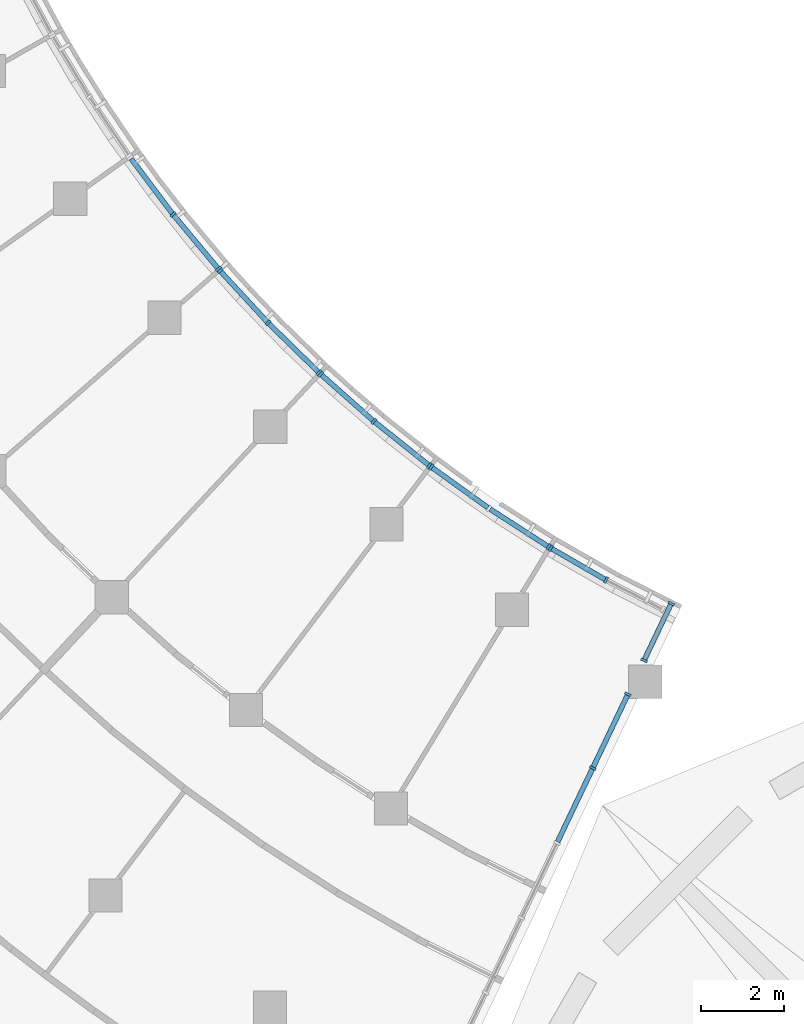
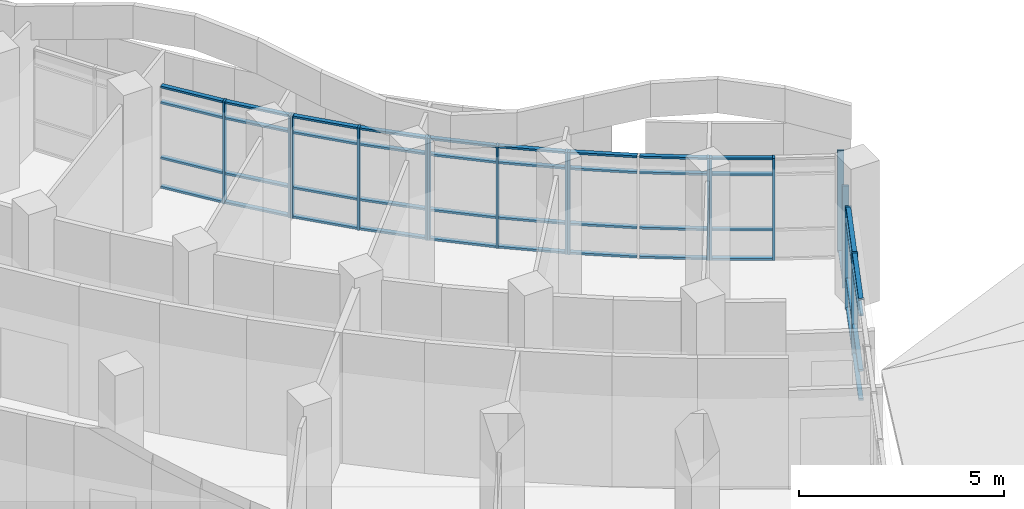
# One storey, part 19 of 137: 61 members, 7 elements without a shape of their own.
"""IFC4 building model written with IfcOpenShell, lengths in metres."""

from ifc_helpers import new_model, si_unit, direction, frame, origin, origin_2d, place, context, subcontext, project, spatial, rectangle, extrude, material, material_profile, profile_set, type_object, element, aggregate, save


model = new_model("IFC4")

# Units and contexts
model_context = context("Model", 3, precision=1e-05, world=origin(), true_north=direction((0.0, 1.0)))
body_context = subcontext(model_context, "Body", "Model", "MODEL_VIEW")
ifc_project = project(units=[si_unit("LENGTHUNIT", "METRE"), si_unit("AREAUNIT", "SQUARE_METRE"), si_unit("VOLUMEUNIT", "CUBIC_METRE"), si_unit("PLANEANGLEUNIT", "RADIAN"), si_unit("MASSUNIT", "GRAM", prefix="KILO")], contexts=[model_context])

# Site, building, storey
site_placement = place(None, origin())
site = spatial("IfcSite", under=ifc_project, at=site_placement, CompositionType="ELEMENT")
building_placement = place(site_placement, origin())
building = spatial("IfcBuilding", under=site, at=building_placement, Name="Bougainvillea Quay General Hospital", CompositionType="ELEMENT")
storey_placement = place(building_placement, frame((0.0, 0.0, 16.800048828125)))
storey = spatial("IfcBuildingStorey", under=building, at=storey_placement, Name="L03", CompositionType="ELEMENT", Elevation=16.800048828125)

# Curtain wall, members
ifc_material_1 = material(Name="Aluminium curtain wall system, powder-coated glazed", Category="aluminium")
curtain_wall_type_1 = type_object("IfcCurtainWallType", Name="Unitised curtain wall CW-1997", PredefinedType="NOTDEFINED", material=ifc_material_1)
curtain_wall_1_placement = place(storey_placement, origin())
curtain_wall_1 = element("IfcCurtainWall", 1, at=curtain_wall_1_placement, inside=storey, type_object=curtain_wall_type_1, Name="CW-AE 02", PredefinedType="NOTDEFINED")
ifc_material_2 = material(Name="Aluminium mullion, powder-coated charcoal", Category="aluminium")
ifc_material_profile_1 = material_profile(ifc_material_2, rectangle(XDim=0.159912109375, YDim=0.06005859375, at=origin_2d()))
ifc_profile_set_1 = profile_set([ifc_material_profile_1], Name="Aluminium mullion, powder-coated charcoal")
member_type_1 = type_object("IfcMemberType", Name="Curtain wall mullion 160x60", PredefinedType="MULLION", material=ifc_profile_set_1)
member_1_placement = place(storey_placement, frame((92.436279296875, 91.433837890625, 0.0), z_axis=(0.0, 0.0, 1.0), x_axis=(-0.902578440897, 0.430525444112, 0.0)))
member_1 = element("IfcMember", 2, at=member_1_placement, type_object=member_type_1, Name="CW-AE mullion 10", PredefinedType="MULLION", context=body_context, shape_type="SweptSolid", body=[
    extrude(rectangle(XDim=0.159912109375, YDim=0.06005859375, at=origin_2d()), origin(), (0.0, 0.0, 1.0), 3.050048828125),
])
member_2_placement = place(storey_placement, frame((93.28271484375, 93.20849609375, 0.0), z_axis=(0.0, 0.0, 1.0), x_axis=(-0.902578440897, 0.430525444112, 0.0)))
member_2 = element("IfcMember", 3, at=member_2_placement, type_object=member_type_1, Name="CW-AE mullion 11", PredefinedType="MULLION", context=body_context, shape_type="SweptSolid", body=[
    extrude(rectangle(XDim=0.159912109375, YDim=0.06005859375, at=origin_2d()), origin(), (0.0, 0.0, 1.0), 3.050048828125),
])

curtain_wall_type_2 = type_object("IfcCurtainWallType", Name="Unitised curtain wall CW-1580", PredefinedType="NOTDEFINED", material=ifc_material_1)
curtain_wall_2_placement = place(storey_placement, origin())
curtain_wall_2 = element("IfcCurtainWall", 4, at=curtain_wall_2_placement, inside=storey, type_object=curtain_wall_type_2, Name="CW-AE 03", PredefinedType="NOTDEFINED")
member_3_placement = place(storey_placement, frame((93.670166015625, 94.020751953125, 0.0), z_axis=(0.0, 0.0, 1.0), x_axis=(-0.902578440897, 0.430525444112, 0.0)))
member_3 = element("IfcMember", 5, at=member_3_placement, type_object=member_type_1, Name="CW-AE mullion 1", PredefinedType="MULLION", context=body_context, shape_type="SweptSolid", body=[
    extrude(rectangle(XDim=0.159912109375, YDim=0.06005859375, at=origin_2d()), origin(), (0.0, 0.0, 1.0), 3.050048828125),
])
member_4_placement = place(storey_placement, frame((94.324462890625, 95.392578125, 0.0), z_axis=(0.0, 0.0, 1.0), x_axis=(-0.902578440897, 0.430525444112, 0.0)))
member_4 = element("IfcMember", 6, at=member_4_placement, type_object=member_type_1, Name="CW-AE mullion 2", PredefinedType="MULLION", context=body_context, shape_type="SweptSolid", body=[
    extrude(rectangle(XDim=0.159912109375, YDim=0.06005859375, at=origin_2d()), origin(), (0.0, 0.0, 1.0), 3.050048828125),
])

curtain_wall_type_3 = type_object("IfcCurtainWallType", Name="Unitised curtain wall CW-2100", PredefinedType="NOTDEFINED", material=ifc_material_1)
curtain_wall_3_placement = place(storey_placement, origin())
curtain_wall_3 = element("IfcCurtainWall", 7, at=curtain_wall_3_placement, inside=storey, type_object=curtain_wall_type_3, Name="CW-W01 a03b0", PredefinedType="NOTDEFINED")
member_5_placement = place(storey_placement, frame((92.756591796875, 95.95556640625, 0.0), z_axis=(0.0, 0.0, 1.0), x_axis=(-0.480103411147, -0.877211898349, 0.0)))
member_5 = element("IfcMember", 8, at=member_5_placement, type_object=member_type_1, Name="CW-W01 mullion 2", PredefinedType="MULLION", context=body_context, shape_type="SweptSolid", body=[
    extrude(rectangle(XDim=0.159912109375, YDim=0.06005859375, at=origin_2d()), origin(), (0.0, 0.0, 1.0), 3.050048828125),
])
member_6_placement = place(storey_placement, frame((91.42626953125, 96.7236328125, 0.0), z_axis=(0.0, 0.0, 1.0), x_axis=(-0.50003140996, -0.866007268476, 0.0)))
member_6 = element("IfcMember", 9, at=member_6_placement, type_object=member_type_1, Name="CW-W01 mullion 3", PredefinedType="MULLION", context=body_context, shape_type="SweptSolid", body=[
    extrude(rectangle(XDim=0.159912109375, YDim=0.06005859375, at=origin_2d()), origin(), (0.0, 0.0, 1.0), 3.050048828125),
])

curtain_wall_4_placement = place(storey_placement, origin())
curtain_wall_4 = element("IfcCurtainWall", 10, at=curtain_wall_4_placement, inside=storey, type_object=curtain_wall_type_3, Name="CW-W02 a03b1", PredefinedType="NOTDEFINED")
member_7_placement = place(storey_placement, frame((91.375244140625, 96.7548828125, 0.0), z_axis=(0.0, 0.0, 1.0), x_axis=(-0.541194636325, -0.840897357359, 0.0)))
member_7 = element("IfcMember", 11, at=member_7_placement, type_object=member_type_1, Name="CW-W02 mullion 1", PredefinedType="MULLION", context=body_context, shape_type="SweptSolid", body=[
    extrude(rectangle(XDim=0.159912109375, YDim=0.06005859375, at=origin_2d()), origin(), (0.0, 0.0, 1.0), 3.050048828125),
])
member_8_placement = place(storey_placement, frame((88.552978515625, 98.674072265625, 0.0), z_axis=(0.0, 0.0, 1.0), x_axis=(-0.583130104218, -0.812378779606, 0.0)))
member_8 = element("IfcMember", 12, at=member_8_placement, type_object=member_type_1, Name="CW-W02 mullion 3", PredefinedType="MULLION", context=body_context, shape_type="SweptSolid", body=[
    extrude(rectangle(XDim=0.159912109375, YDim=0.06005859375, at=origin_2d()), origin(), (0.0, 0.0, 1.0), 3.050048828125),
])

curtain_wall_5_placement = place(storey_placement, origin())
curtain_wall_5 = element("IfcCurtainWall", 13, at=curtain_wall_5_placement, inside=storey, type_object=curtain_wall_type_3, Name="CW-W03 a03b2", PredefinedType="NOTDEFINED")
member_9_placement = place(storey_placement, frame((88.50537109375, 98.710205078125, 0.0), z_axis=(0.0, 0.0, 1.0), x_axis=(-0.623565824026, -0.781770850765, 0.0)))
member_9 = element("IfcMember", 14, at=member_9_placement, type_object=member_type_1, Name="CW-W03 mullion 1", PredefinedType="MULLION", context=body_context, shape_type="SweptSolid", body=[
    extrude(rectangle(XDim=0.159912109375, YDim=0.06005859375, at=origin_2d()), origin(), (0.0, 0.0, 1.0), 3.050048828125),
])
member_10_placement = place(storey_placement, frame((87.1708984375, 99.774658203125, 0.0), z_axis=(0.0, 0.0, 1.0), x_axis=(-0.643188621489, -0.765707775321, 0.0)))
member_10 = element("IfcMember", 15, at=member_10_placement, type_object=member_type_1, Name="CW-W03 mullion 2", PredefinedType="MULLION", context=body_context, shape_type="SweptSolid", body=[
    extrude(rectangle(XDim=0.159912109375, YDim=0.06005859375, at=origin_2d()), origin(), (0.0, 0.0, 1.0), 3.050048828125),
])
member_11_placement = place(storey_placement, frame((85.89208984375, 100.9052734375, 0.0), z_axis=(0.0, 0.0, 1.0), x_axis=(-0.662397799417, -0.749152291145, 0.0)))
member_11 = element("IfcMember", 16, at=member_11_placement, type_object=member_type_1, Name="CW-W03 mullion 3", PredefinedType="MULLION", context=body_context, shape_type="SweptSolid", body=[
    extrude(rectangle(XDim=0.159912109375, YDim=0.06005859375, at=origin_2d()), origin(), (0.0, 0.0, 1.0), 3.050048828125),
])

curtain_wall_6_placement = place(storey_placement, origin())
curtain_wall_6 = element("IfcCurtainWall", 17, at=curtain_wall_6_placement, inside=storey, type_object=curtain_wall_type_3, Name="CW-W04 a03b3", PredefinedType="NOTDEFINED")
member_12_placement = place(storey_placement, frame((85.84814453125, 100.946044921875, 0.0), z_axis=(0.0, 0.0, 1.0), x_axis=(-0.699526158712, -0.714606992183, 0.0)))
member_12 = element("IfcMember", 18, at=member_12_placement, type_object=member_type_1, Name="CW-W04 mullion 1", PredefinedType="MULLION", context=body_context, shape_type="SweptSolid", body=[
    extrude(rectangle(XDim=0.159912109375, YDim=0.06005859375, at=origin_2d()), origin(), (0.0, 0.0, 1.0), 3.050048828125),
])
member_13_placement = place(storey_placement, frame((84.62841796875, 102.14013671875, 0.0), z_axis=(0.0, 0.0, 1.0), x_axis=(-0.717421463702, -0.69663939267, 0.0)))
member_13 = element("IfcMember", 19, at=member_13_placement, type_object=member_type_1, Name="CW-W04 mullion 2", PredefinedType="MULLION", context=body_context, shape_type="SweptSolid", body=[
    extrude(rectangle(XDim=0.159912109375, YDim=0.06005859375, at=origin_2d()), origin(), (0.0, 0.0, 1.0), 3.050048828125),
])
member_14_placement = place(storey_placement, frame((83.470703125, 103.39453125, 0.0), z_axis=(0.0, 0.0, 1.0), x_axis=(-0.734855411756, -0.678223800683, 0.0)))
member_14 = element("IfcMember", 20, at=member_14_placement, type_object=member_type_1, Name="CW-W04 mullion 3", PredefinedType="MULLION", context=body_context, shape_type="SweptSolid", body=[
    extrude(rectangle(XDim=0.159912109375, YDim=0.06005859375, at=origin_2d()), origin(), (0.0, 0.0, 1.0), 3.050048828125),
])

curtain_wall_7_placement = place(storey_placement, origin())
curtain_wall_7 = element("IfcCurtainWall", 21, at=curtain_wall_7_placement, inside=storey, type_object=curtain_wall_type_3, Name="CW-W05 a03b4", PredefinedType="NOTDEFINED")
member_15_placement = place(storey_placement, frame((83.43115234375, 103.439697265625, 0.0), z_axis=(0.0, 0.0, 1.0), x_axis=(-0.768294695498, -0.64009629031, 0.0)))
member_15 = element("IfcMember", 22, at=member_15_placement, type_object=member_type_1, Name="CW-W05 mullion 1", PredefinedType="MULLION", context=body_context, shape_type="SweptSolid", body=[
    extrude(rectangle(XDim=0.159912109375, YDim=0.06005859375, at=origin_2d()), origin(), (0.0, 0.0, 1.0), 3.050048828125),
])
member_16_placement = place(storey_placement, frame((82.338623046875, 104.7509765625, 0.0), z_axis=(0.0, 0.0, 1.0), x_axis=(-0.784278527167, -0.620408890833, 0.0)))
member_16 = element("IfcMember", 23, at=member_16_placement, type_object=member_type_1, Name="CW-W05 mullion 2", PredefinedType="MULLION", context=body_context, shape_type="SweptSolid", body=[
    extrude(rectangle(XDim=0.159912109375, YDim=0.06005859375, at=origin_2d()), origin(), (0.0, 0.0, 1.0), 3.050048828125),
])

# Member
ifc_material_3 = material(Name="Aluminium transom, powder-coated charcoal", Category="aluminium")
ifc_material_profile_2 = material_profile(ifc_material_3, rectangle(XDim=0.1201171875, YDim=0.06005859375, at=origin_2d()))
ifc_profile_set_2 = profile_set([ifc_material_profile_2], Name="Aluminium transom, powder-coated charcoal")
member_type_2 = type_object("IfcMemberType", Name="Curtain wall transom 120x60", PredefinedType="USERDEFINED", material=ifc_profile_set_2)
member_17_placement = place(storey_placement, frame((91.58984375, 89.659423828125, 0.030029296875), z_axis=(0.430491490236, 0.902594635944, 0.0), x_axis=(-0.902594635944, 0.430491490236, 0.0)))
member_17 = element("IfcMember", 24, at=member_17_placement, type_object=member_type_2, Name="CW-AE transom 9.1", ObjectType="TRANSOM", PredefinedType="USERDEFINED", context=body_context, shape_type="SweptSolid", body=[
    extrude(rectangle(XDim=0.1201171875, YDim=0.06005859375, at=origin_2d()), origin(), (0.0, 0.0, 1.0), 1.93603515625),
])

member_18_placement = place(storey_placement, frame((91.58984375, 89.659423828125, 0.89990234375), z_axis=(0.430491490236, 0.902594635944, 0.0), x_axis=(-0.902594635944, 0.430491490236, 0.0)))
member_18 = element("IfcMember", 25, at=member_18_placement, type_object=member_type_2, Name="CW-AE transom 9.2", ObjectType="TRANSOM", PredefinedType="USERDEFINED", context=body_context, shape_type="SweptSolid", body=[
    extrude(rectangle(XDim=0.1201171875, YDim=0.06005859375, at=origin_2d()), origin(), (0.0, 0.0, 1.0), 1.93603515625),
])

member_19_placement = place(storey_placement, frame((91.58984375, 89.659423828125, 2.550048828125), z_axis=(0.430491490236, 0.902594635944, 0.0), x_axis=(-0.902594635944, 0.430491490236, 0.0)))
member_19 = element("IfcMember", 26, at=member_19_placement, type_object=member_type_2, Name="CW-AE transom 9.3", ObjectType="TRANSOM", PredefinedType="USERDEFINED", context=body_context, shape_type="SweptSolid", body=[
    extrude(rectangle(XDim=0.1201171875, YDim=0.06005859375, at=origin_2d()), origin(), (0.0, 0.0, 1.0), 1.93603515625),
])

member_20_placement = place(storey_placement, frame((91.58984375, 89.659423828125, 3.02001953125), z_axis=(0.430491490236, 0.902594635944, 0.0), x_axis=(-0.902594635944, 0.430491490236, 0.0)))
member_20 = element("IfcMember", 27, at=member_20_placement, type_object=member_type_2, Name="CW-AE transom 9.4", ObjectType="TRANSOM", PredefinedType="USERDEFINED", context=body_context, shape_type="SweptSolid", body=[
    extrude(rectangle(XDim=0.1201171875, YDim=0.06005859375, at=origin_2d()), origin(), (0.0, 0.0, 1.0), 1.93603515625),
])

member_21_placement = place(storey_placement, frame((92.44921875, 91.4609375, 0.030029296875), z_axis=(0.430485367667, 0.90259755607, 0.0), x_axis=(-0.90259755607, 0.430485367667, 0.0)))
member_21 = element("IfcMember", 28, at=member_21_placement, type_object=member_type_2, Name="CW-AE transom 10.1", ObjectType="TRANSOM", PredefinedType="USERDEFINED", context=body_context, shape_type="SweptSolid", body=[
    extrude(rectangle(XDim=0.1201171875, YDim=0.06005859375, at=origin_2d()), origin(), (0.0, 0.0, 1.0), 1.906005859375),
])

member_22_placement = place(storey_placement, frame((92.44921875, 91.4609375, 0.89990234375), z_axis=(0.430485367667, 0.90259755607, 0.0), x_axis=(-0.90259755607, 0.430485367667, 0.0)))
member_22 = element("IfcMember", 29, at=member_22_placement, type_object=member_type_2, Name="CW-AE transom 10.2", ObjectType="TRANSOM", PredefinedType="USERDEFINED", context=body_context, shape_type="SweptSolid", body=[
    extrude(rectangle(XDim=0.1201171875, YDim=0.06005859375, at=origin_2d()), origin(), (0.0, 0.0, 1.0), 1.906005859375),
])

member_23_placement = place(storey_placement, frame((92.44921875, 91.4609375, 2.550048828125), z_axis=(0.430485367667, 0.90259755607, 0.0), x_axis=(-0.90259755607, 0.430485367667, 0.0)))
member_23 = element("IfcMember", 30, at=member_23_placement, type_object=member_type_2, Name="CW-AE transom 10.3", ObjectType="TRANSOM", PredefinedType="USERDEFINED", context=body_context, shape_type="SweptSolid", body=[
    extrude(rectangle(XDim=0.1201171875, YDim=0.06005859375, at=origin_2d()), origin(), (0.0, 0.0, 1.0), 1.906005859375),
])

member_24_placement = place(storey_placement, frame((92.44921875, 91.4609375, 3.02001953125), z_axis=(0.430485367667, 0.90259755607, 0.0), x_axis=(-0.90259755607, 0.430485367667, 0.0)))
member_24 = element("IfcMember", 31, at=member_24_placement, type_object=member_type_2, Name="CW-AE transom 10.4", ObjectType="TRANSOM", PredefinedType="USERDEFINED", context=body_context, shape_type="SweptSolid", body=[
    extrude(rectangle(XDim=0.1201171875, YDim=0.06005859375, at=origin_2d()), origin(), (0.0, 0.0, 1.0), 1.906005859375),
])

aggregate(curtain_wall_1, [member_1, member_2, member_17, member_18, member_19, member_20, member_21, member_22, member_23, member_24])

member_25_placement = place(storey_placement, frame((93.68310546875, 94.0478515625, 0.030029296875), z_axis=(0.430478813346, 0.902600682063, 0.0), x_axis=(-0.902600682063, 0.430478813346, 0.0)))
member_25 = element("IfcMember", 32, at=member_25_placement, type_object=member_type_2, Name="CW-AE transom 1.1", ObjectType="TRANSOM", PredefinedType="USERDEFINED", context=body_context, shape_type="SweptSolid", body=[
    extrude(rectangle(XDim=0.1201171875, YDim=0.06005859375, at=origin_2d()), origin(), (0.0, 0.0, 1.0), 1.459716796875),
])

aggregate(curtain_wall_2, [member_3, member_4, member_25])

member_26_placement = place(storey_placement, frame((92.73046875, 95.970458984375, 0.030029296875), z_axis=(-0.865984475827, 0.500070882603, 0.0), x_axis=(-0.500070882603, -0.865984475827, 0.0)))
member_26 = element("IfcMember", 33, at=member_26_placement, type_object=member_type_2, Name="CW-W01 transom 2.1", ObjectType="TRANSOM", PredefinedType="USERDEFINED", context=body_context, shape_type="SweptSolid", body=[
    extrude(rectangle(XDim=0.1201171875, YDim=0.06005859375, at=origin_2d()), origin(), (0.0, 0.0, 1.0), 1.475830078125),
])

member_27_placement = place(storey_placement, frame((92.73046875, 95.970458984375, 0.89990234375), z_axis=(-0.865984475827, 0.500070882603, 0.0), x_axis=(-0.500070882603, -0.865984475827, 0.0)))
member_27 = element("IfcMember", 34, at=member_27_placement, type_object=member_type_2, Name="CW-W01 transom 2.2", ObjectType="TRANSOM", PredefinedType="USERDEFINED", context=body_context, shape_type="SweptSolid", body=[
    extrude(rectangle(XDim=0.1201171875, YDim=0.06005859375, at=origin_2d()), origin(), (0.0, 0.0, 1.0), 1.475830078125),
])

member_28_placement = place(storey_placement, frame((92.73046875, 95.970458984375, 2.550048828125), z_axis=(-0.865984475827, 0.500070882603, 0.0), x_axis=(-0.500070882603, -0.865984475827, 0.0)))
member_28 = element("IfcMember", 35, at=member_28_placement, type_object=member_type_2, Name="CW-W01 transom 2.3", ObjectType="TRANSOM", PredefinedType="USERDEFINED", context=body_context, shape_type="SweptSolid", body=[
    extrude(rectangle(XDim=0.1201171875, YDim=0.06005859375, at=origin_2d()), origin(), (0.0, 0.0, 1.0), 1.475830078125),
])

member_29_placement = place(storey_placement, frame((92.73046875, 95.970458984375, 3.02001953125), z_axis=(-0.865984475827, 0.500070882603, 0.0), x_axis=(-0.500070882603, -0.865984475827, 0.0)))
member_29 = element("IfcMember", 36, at=member_29_placement, type_object=member_type_2, Name="CW-W01 transom 2.4", ObjectType="TRANSOM", PredefinedType="USERDEFINED", context=body_context, shape_type="SweptSolid", body=[
    extrude(rectangle(XDim=0.1201171875, YDim=0.06005859375, at=origin_2d()), origin(), (0.0, 0.0, 1.0), 1.475830078125),
])

aggregate(curtain_wall_3, [member_5, member_6, member_26, member_27, member_28, member_29])

member_30_placement = place(storey_placement, frame((91.349853515625, 96.77099609375, 0.030029296875), z_axis=(-0.840860427207, 0.541252013352, 0.0), x_axis=(-0.541252013352, -0.840860427207, 0.0)))
member_30 = element("IfcMember", 37, at=member_30_placement, type_object=member_type_2, Name="CW-W02 transom 1.1", ObjectType="TRANSOM", PredefinedType="USERDEFINED", context=body_context, shape_type="SweptSolid", body=[
    extrude(rectangle(XDim=0.1201171875, YDim=0.06005859375, at=origin_2d()), origin(), (0.0, 0.0, 1.0), 1.646728515625),
])

member_31_placement = place(storey_placement, frame((91.349853515625, 96.77099609375, 0.89990234375), z_axis=(-0.840860427207, 0.541252013352, 0.0), x_axis=(-0.541252013352, -0.840860427207, 0.0)))
member_31 = element("IfcMember", 38, at=member_31_placement, type_object=member_type_2, Name="CW-W02 transom 1.2", ObjectType="TRANSOM", PredefinedType="USERDEFINED", context=body_context, shape_type="SweptSolid", body=[
    extrude(rectangle(XDim=0.1201171875, YDim=0.06005859375, at=origin_2d()), origin(), (0.0, 0.0, 1.0), 1.646728515625),
])

member_32_placement = place(storey_placement, frame((91.349853515625, 96.77099609375, 2.550048828125), z_axis=(-0.840860427207, 0.541252013352, 0.0), x_axis=(-0.541252013352, -0.840860427207, 0.0)))
member_32 = element("IfcMember", 39, at=member_32_placement, type_object=member_type_2, Name="CW-W02 transom 1.3", ObjectType="TRANSOM", PredefinedType="USERDEFINED", context=body_context, shape_type="SweptSolid", body=[
    extrude(rectangle(XDim=0.1201171875, YDim=0.06005859375, at=origin_2d()), origin(), (0.0, 0.0, 1.0), 1.646728515625),
])

member_33_placement = place(storey_placement, frame((91.349853515625, 96.77099609375, 3.02001953125), z_axis=(-0.840860427207, 0.541252013352, 0.0), x_axis=(-0.541252013352, -0.840860427207, 0.0)))
member_33 = element("IfcMember", 40, at=member_33_placement, type_object=member_type_2, Name="CW-W02 transom 1.4", ObjectType="TRANSOM", PredefinedType="USERDEFINED", context=body_context, shape_type="SweptSolid", body=[
    extrude(rectangle(XDim=0.1201171875, YDim=0.06005859375, at=origin_2d()), origin(), (0.0, 0.0, 1.0), 1.646728515625),
])

member_34_placement = place(storey_placement, frame((89.91552734375, 97.696044921875, 0.030029296875), z_axis=(-0.812399348414, 0.583101448032, 0.0), x_axis=(-0.583101448032, -0.812399348414, 0.0)))
member_34 = element("IfcMember", 41, at=member_34_placement, type_object=member_type_2, Name="CW-W02 transom 2.1", ObjectType="TRANSOM", PredefinedType="USERDEFINED", context=body_context, shape_type="SweptSolid", body=[
    extrude(rectangle(XDim=0.1201171875, YDim=0.06005859375, at=origin_2d()), origin(), (0.0, 0.0, 1.0), 1.647216796875),
])

member_35_placement = place(storey_placement, frame((89.91552734375, 97.696044921875, 0.89990234375), z_axis=(-0.812399348414, 0.583101448032, 0.0), x_axis=(-0.583101448032, -0.812399348414, 0.0)))
member_35 = element("IfcMember", 42, at=member_35_placement, type_object=member_type_2, Name="CW-W02 transom 2.2", ObjectType="TRANSOM", PredefinedType="USERDEFINED", context=body_context, shape_type="SweptSolid", body=[
    extrude(rectangle(XDim=0.1201171875, YDim=0.06005859375, at=origin_2d()), origin(), (0.0, 0.0, 1.0), 1.647216796875),
])

member_36_placement = place(storey_placement, frame((89.91552734375, 97.696044921875, 2.550048828125), z_axis=(-0.812399348414, 0.583101448032, 0.0), x_axis=(-0.583101448032, -0.812399348414, 0.0)))
member_36 = element("IfcMember", 43, at=member_36_placement, type_object=member_type_2, Name="CW-W02 transom 2.3", ObjectType="TRANSOM", PredefinedType="USERDEFINED", context=body_context, shape_type="SweptSolid", body=[
    extrude(rectangle(XDim=0.1201171875, YDim=0.06005859375, at=origin_2d()), origin(), (0.0, 0.0, 1.0), 1.647216796875),
])

member_37_placement = place(storey_placement, frame((89.91552734375, 97.696044921875, 3.02001953125), z_axis=(-0.812399348414, 0.583101448032, 0.0), x_axis=(-0.583101448032, -0.812399348414, 0.0)))
member_37 = element("IfcMember", 44, at=member_37_placement, type_object=member_type_2, Name="CW-W02 transom 2.4", ObjectType="TRANSOM", PredefinedType="USERDEFINED", context=body_context, shape_type="SweptSolid", body=[
    extrude(rectangle(XDim=0.1201171875, YDim=0.06005859375, at=origin_2d()), origin(), (0.0, 0.0, 1.0), 1.647216796875),
])

aggregate(curtain_wall_4, [member_7, member_8, member_30, member_31, member_32, member_33, member_34, member_35, member_36, member_37])

member_38_placement = place(storey_placement, frame((88.48193359375, 98.728759765625, 0.030029296875), z_axis=(-0.781750163409, 0.623591759094, 0.0), x_axis=(-0.623591759094, -0.781750163409, 0.0)))
member_38 = element("IfcMember", 45, at=member_38_placement, type_object=member_type_2, Name="CW-W03 transom 1.1", ObjectType="TRANSOM", PredefinedType="USERDEFINED", context=body_context, shape_type="SweptSolid", body=[
    extrude(rectangle(XDim=0.1201171875, YDim=0.06005859375, at=origin_2d()), origin(), (0.0, 0.0, 1.0), 1.64697265625),
])

member_39_placement = place(storey_placement, frame((88.48193359375, 98.728759765625, 0.89990234375), z_axis=(-0.781750163409, 0.623591759094, 0.0), x_axis=(-0.623591759094, -0.781750163409, 0.0)))
member_39 = element("IfcMember", 46, at=member_39_placement, type_object=member_type_2, Name="CW-W03 transom 1.2", ObjectType="TRANSOM", PredefinedType="USERDEFINED", context=body_context, shape_type="SweptSolid", body=[
    extrude(rectangle(XDim=0.1201171875, YDim=0.06005859375, at=origin_2d()), origin(), (0.0, 0.0, 1.0), 1.64697265625),
])

member_40_placement = place(storey_placement, frame((88.48193359375, 98.728759765625, 2.550048828125), z_axis=(-0.781750163409, 0.623591759094, 0.0), x_axis=(-0.623591759094, -0.781750163409, 0.0)))
member_40 = element("IfcMember", 47, at=member_40_placement, type_object=member_type_2, Name="CW-W03 transom 1.3", ObjectType="TRANSOM", PredefinedType="USERDEFINED", context=body_context, shape_type="SweptSolid", body=[
    extrude(rectangle(XDim=0.1201171875, YDim=0.06005859375, at=origin_2d()), origin(), (0.0, 0.0, 1.0), 1.64697265625),
])

member_41_placement = place(storey_placement, frame((88.48193359375, 98.728759765625, 3.02001953125), z_axis=(-0.781750163409, 0.623591759094, 0.0), x_axis=(-0.623591759094, -0.781750163409, 0.0)))
member_41 = element("IfcMember", 48, at=member_41_placement, type_object=member_type_2, Name="CW-W03 transom 1.4", ObjectType="TRANSOM", PredefinedType="USERDEFINED", context=body_context, shape_type="SweptSolid", body=[
    extrude(rectangle(XDim=0.1201171875, YDim=0.06005859375, at=origin_2d()), origin(), (0.0, 0.0, 1.0), 1.64697265625),
])

member_42_placement = place(storey_placement, frame((87.1484375, 99.79443359375, 0.030029296875), z_axis=(-0.749205906667, 0.662337156903, 0.0), x_axis=(-0.662337156903, -0.749205906667, 0.0)))
member_42 = element("IfcMember", 49, at=member_42_placement, type_object=member_type_2, Name="CW-W03 transom 2.1", ObjectType="TRANSOM", PredefinedType="USERDEFINED", context=body_context, shape_type="SweptSolid", body=[
    extrude(rectangle(XDim=0.1201171875, YDim=0.06005859375, at=origin_2d()), origin(), (0.0, 0.0, 1.0), 1.64697265625),
])

member_43_placement = place(storey_placement, frame((87.1484375, 99.79443359375, 0.89990234375), z_axis=(-0.749205906667, 0.662337156903, 0.0), x_axis=(-0.662337156903, -0.749205906667, 0.0)))
member_43 = element("IfcMember", 50, at=member_43_placement, type_object=member_type_2, Name="CW-W03 transom 2.2", ObjectType="TRANSOM", PredefinedType="USERDEFINED", context=body_context, shape_type="SweptSolid", body=[
    extrude(rectangle(XDim=0.1201171875, YDim=0.06005859375, at=origin_2d()), origin(), (0.0, 0.0, 1.0), 1.64697265625),
])

member_44_placement = place(storey_placement, frame((87.1484375, 99.79443359375, 2.550048828125), z_axis=(-0.749205906667, 0.662337156903, 0.0), x_axis=(-0.662337156903, -0.749205906667, 0.0)))
member_44 = element("IfcMember", 51, at=member_44_placement, type_object=member_type_2, Name="CW-W03 transom 2.3", ObjectType="TRANSOM", PredefinedType="USERDEFINED", context=body_context, shape_type="SweptSolid", body=[
    extrude(rectangle(XDim=0.1201171875, YDim=0.06005859375, at=origin_2d()), origin(), (0.0, 0.0, 1.0), 1.64697265625),
])

member_45_placement = place(storey_placement, frame((87.1484375, 99.79443359375, 3.02001953125), z_axis=(-0.749205906667, 0.662337156903, 0.0), x_axis=(-0.662337156903, -0.749205906667, 0.0)))
member_45 = element("IfcMember", 52, at=member_45_placement, type_object=member_type_2, Name="CW-W03 transom 2.4", ObjectType="TRANSOM", PredefinedType="USERDEFINED", context=body_context, shape_type="SweptSolid", body=[
    extrude(rectangle(XDim=0.1201171875, YDim=0.06005859375, at=origin_2d()), origin(), (0.0, 0.0, 1.0), 1.64697265625),
])

aggregate(curtain_wall_5, [member_9, member_10, member_11, member_38, member_39, member_40, member_41, member_42, member_43, member_44, member_45])

member_46_placement = place(storey_placement, frame((85.82666015625, 100.967041015625, 0.030029296875), z_axis=(-0.714553654445, 0.699580642184, 0.0), x_axis=(-0.699580642184, -0.714553654445, 0.0)))
member_46 = element("IfcMember", 53, at=member_46_placement, type_object=member_type_2, Name="CW-W04 transom 1.1", ObjectType="TRANSOM", PredefinedType="USERDEFINED", context=body_context, shape_type="SweptSolid", body=[
    extrude(rectangle(XDim=0.1201171875, YDim=0.06005859375, at=origin_2d()), origin(), (0.0, 0.0, 1.0), 1.646728515625),
])

member_47_placement = place(storey_placement, frame((85.82666015625, 100.967041015625, 0.89990234375), z_axis=(-0.714553654445, 0.699580642184, 0.0), x_axis=(-0.699580642184, -0.714553654445, 0.0)))
member_47 = element("IfcMember", 54, at=member_47_placement, type_object=member_type_2, Name="CW-W04 transom 1.2", ObjectType="TRANSOM", PredefinedType="USERDEFINED", context=body_context, shape_type="SweptSolid", body=[
    extrude(rectangle(XDim=0.1201171875, YDim=0.06005859375, at=origin_2d()), origin(), (0.0, 0.0, 1.0), 1.646728515625),
])

member_48_placement = place(storey_placement, frame((85.82666015625, 100.967041015625, 2.550048828125), z_axis=(-0.714553654445, 0.699580642184, 0.0), x_axis=(-0.699580642184, -0.714553654445, 0.0)))
member_48 = element("IfcMember", 55, at=member_48_placement, type_object=member_type_2, Name="CW-W04 transom 1.3", ObjectType="TRANSOM", PredefinedType="USERDEFINED", context=body_context, shape_type="SweptSolid", body=[
    extrude(rectangle(XDim=0.1201171875, YDim=0.06005859375, at=origin_2d()), origin(), (0.0, 0.0, 1.0), 1.646728515625),
])

member_49_placement = place(storey_placement, frame((85.82666015625, 100.967041015625, 3.02001953125), z_axis=(-0.714553654445, 0.699580642184, 0.0), x_axis=(-0.699580642184, -0.714553654445, 0.0)))
member_49 = element("IfcMember", 56, at=member_49_placement, type_object=member_type_2, Name="CW-W04 transom 1.4", ObjectType="TRANSOM", PredefinedType="USERDEFINED", context=body_context, shape_type="SweptSolid", body=[
    extrude(rectangle(XDim=0.1201171875, YDim=0.06005859375, at=origin_2d()), origin(), (0.0, 0.0, 1.0), 1.646728515625),
])

member_50_placement = place(storey_placement, frame((84.60791015625, 102.162109375, 0.030029296875), z_axis=(-0.678150805641, 0.734922774725, 0.0), x_axis=(-0.734922774725, -0.678150805641, 0.0)))
member_50 = element("IfcMember", 57, at=member_50_placement, type_object=member_type_2, Name="CW-W04 transom 2.1", ObjectType="TRANSOM", PredefinedType="USERDEFINED", context=body_context, shape_type="SweptSolid", body=[
    extrude(rectangle(XDim=0.1201171875, YDim=0.06005859375, at=origin_2d()), origin(), (0.0, 0.0, 1.0), 1.64697265625),
])

member_51_placement = place(storey_placement, frame((84.60791015625, 102.162109375, 0.89990234375), z_axis=(-0.678150805641, 0.734922774725, 0.0), x_axis=(-0.734922774725, -0.678150805641, 0.0)))
member_51 = element("IfcMember", 58, at=member_51_placement, type_object=member_type_2, Name="CW-W04 transom 2.2", ObjectType="TRANSOM", PredefinedType="USERDEFINED", context=body_context, shape_type="SweptSolid", body=[
    extrude(rectangle(XDim=0.1201171875, YDim=0.06005859375, at=origin_2d()), origin(), (0.0, 0.0, 1.0), 1.64697265625),
])

member_52_placement = place(storey_placement, frame((84.60791015625, 102.162109375, 2.550048828125), z_axis=(-0.678150805641, 0.734922774725, 0.0), x_axis=(-0.734922774725, -0.678150805641, 0.0)))
member_52 = element("IfcMember", 59, at=member_52_placement, type_object=member_type_2, Name="CW-W04 transom 2.3", ObjectType="TRANSOM", PredefinedType="USERDEFINED", context=body_context, shape_type="SweptSolid", body=[
    extrude(rectangle(XDim=0.1201171875, YDim=0.06005859375, at=origin_2d()), origin(), (0.0, 0.0, 1.0), 1.64697265625),
])

member_53_placement = place(storey_placement, frame((84.60791015625, 102.162109375, 3.02001953125), z_axis=(-0.678150805641, 0.734922774725, 0.0), x_axis=(-0.734922774725, -0.678150805641, 0.0)))
member_53 = element("IfcMember", 60, at=member_53_placement, type_object=member_type_2, Name="CW-W04 transom 2.4", ObjectType="TRANSOM", PredefinedType="USERDEFINED", context=body_context, shape_type="SweptSolid", body=[
    extrude(rectangle(XDim=0.1201171875, YDim=0.06005859375, at=origin_2d()), origin(), (0.0, 0.0, 1.0), 1.64697265625),
])

aggregate(curtain_wall_6, [member_12, member_13, member_14, member_46, member_47, member_48, member_49, member_50, member_51, member_52, member_53])

member_54_placement = place(storey_placement, frame((83.411865234375, 103.462646484375, 0.030029296875), z_axis=(-0.640082329998, 0.768306326165, 0.0), x_axis=(-0.768306326165, -0.640082329998, 0.0)))
member_54 = element("IfcMember", 61, at=member_54_placement, type_object=member_type_2, Name="CW-W05 transom 1.1", ObjectType="TRANSOM", PredefinedType="USERDEFINED", context=body_context, shape_type="SweptSolid", body=[
    extrude(rectangle(XDim=0.1201171875, YDim=0.06005859375, at=origin_2d()), origin(), (0.0, 0.0, 1.0), 1.64697265625),
])

member_55_placement = place(storey_placement, frame((83.411865234375, 103.462646484375, 0.89990234375), z_axis=(-0.640082329998, 0.768306326165, 0.0), x_axis=(-0.768306326165, -0.640082329998, 0.0)))
member_55 = element("IfcMember", 62, at=member_55_placement, type_object=member_type_2, Name="CW-W05 transom 1.2", ObjectType="TRANSOM", PredefinedType="USERDEFINED", context=body_context, shape_type="SweptSolid", body=[
    extrude(rectangle(XDim=0.1201171875, YDim=0.06005859375, at=origin_2d()), origin(), (0.0, 0.0, 1.0), 1.64697265625),
])

member_56_placement = place(storey_placement, frame((83.411865234375, 103.462646484375, 2.550048828125), z_axis=(-0.640082329998, 0.768306326165, 0.0), x_axis=(-0.768306326165, -0.640082329998, 0.0)))
member_56 = element("IfcMember", 63, at=member_56_placement, type_object=member_type_2, Name="CW-W05 transom 1.3", ObjectType="TRANSOM", PredefinedType="USERDEFINED", context=body_context, shape_type="SweptSolid", body=[
    extrude(rectangle(XDim=0.1201171875, YDim=0.06005859375, at=origin_2d()), origin(), (0.0, 0.0, 1.0), 1.64697265625),
])

member_57_placement = place(storey_placement, frame((83.411865234375, 103.462646484375, 3.02001953125), z_axis=(-0.640082329998, 0.768306326165, 0.0), x_axis=(-0.768306326165, -0.640082329998, 0.0)))
member_57 = element("IfcMember", 64, at=member_57_placement, type_object=member_type_2, Name="CW-W05 transom 1.4", ObjectType="TRANSOM", PredefinedType="USERDEFINED", context=body_context, shape_type="SweptSolid", body=[
    extrude(rectangle(XDim=0.1201171875, YDim=0.06005859375, at=origin_2d()), origin(), (0.0, 0.0, 1.0), 1.64697265625),
])

member_58_placement = place(storey_placement, frame((82.320556640625, 104.775146484375, 0.030029296875), z_axis=(-0.600355707015, 0.799733096135, 0.0), x_axis=(-0.799733096135, -0.600355707015, 0.0)))
member_58 = element("IfcMember", 65, at=member_58_placement, type_object=member_type_2, Name="CW-W05 transom 2.1", ObjectType="TRANSOM", PredefinedType="USERDEFINED", context=body_context, shape_type="SweptSolid", body=[
    extrude(rectangle(XDim=0.1201171875, YDim=0.06005859375, at=origin_2d()), origin(), (0.0, 0.0, 1.0), 1.64697265625),
])

member_59_placement = place(storey_placement, frame((82.320556640625, 104.775146484375, 0.89990234375), z_axis=(-0.600355707015, 0.799733096135, 0.0), x_axis=(-0.799733096135, -0.600355707015, 0.0)))
member_59 = element("IfcMember", 66, at=member_59_placement, type_object=member_type_2, Name="CW-W05 transom 2.2", ObjectType="TRANSOM", PredefinedType="USERDEFINED", context=body_context, shape_type="SweptSolid", body=[
    extrude(rectangle(XDim=0.1201171875, YDim=0.06005859375, at=origin_2d()), origin(), (0.0, 0.0, 1.0), 1.64697265625),
])

member_60_placement = place(storey_placement, frame((82.320556640625, 104.775146484375, 2.550048828125), z_axis=(-0.600355707015, 0.799733096135, 0.0), x_axis=(-0.799733096135, -0.600355707015, 0.0)))
member_60 = element("IfcMember", 67, at=member_60_placement, type_object=member_type_2, Name="CW-W05 transom 2.3", ObjectType="TRANSOM", PredefinedType="USERDEFINED", context=body_context, shape_type="SweptSolid", body=[
    extrude(rectangle(XDim=0.1201171875, YDim=0.06005859375, at=origin_2d()), origin(), (0.0, 0.0, 1.0), 1.64697265625),
])

member_61_placement = place(storey_placement, frame((82.320556640625, 104.775146484375, 3.02001953125), z_axis=(-0.600355707015, 0.799733096135, 0.0), x_axis=(-0.799733096135, -0.600355707015, 0.0)))
member_61 = element("IfcMember", 68, at=member_61_placement, type_object=member_type_2, Name="CW-W05 transom 2.4", ObjectType="TRANSOM", PredefinedType="USERDEFINED", context=body_context, shape_type="SweptSolid", body=[
    extrude(rectangle(XDim=0.1201171875, YDim=0.06005859375, at=origin_2d()), origin(), (0.0, 0.0, 1.0), 1.64697265625),
])

aggregate(curtain_wall_7, [member_15, member_16, member_54, member_55, member_56, member_57, member_58, member_59, member_60, member_61])

save(model, "model.ifc")
